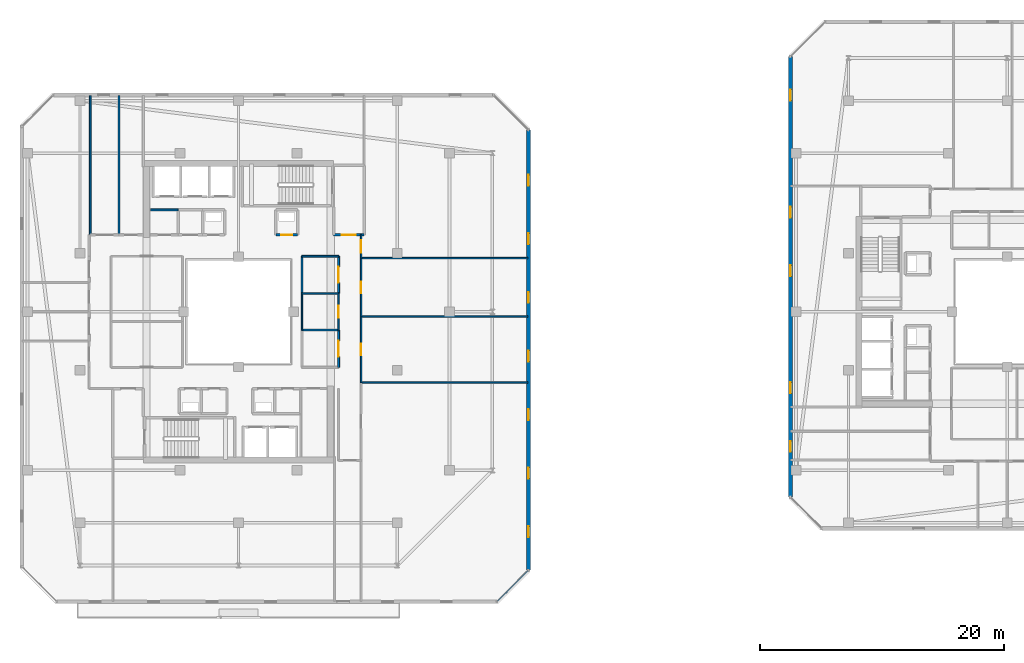
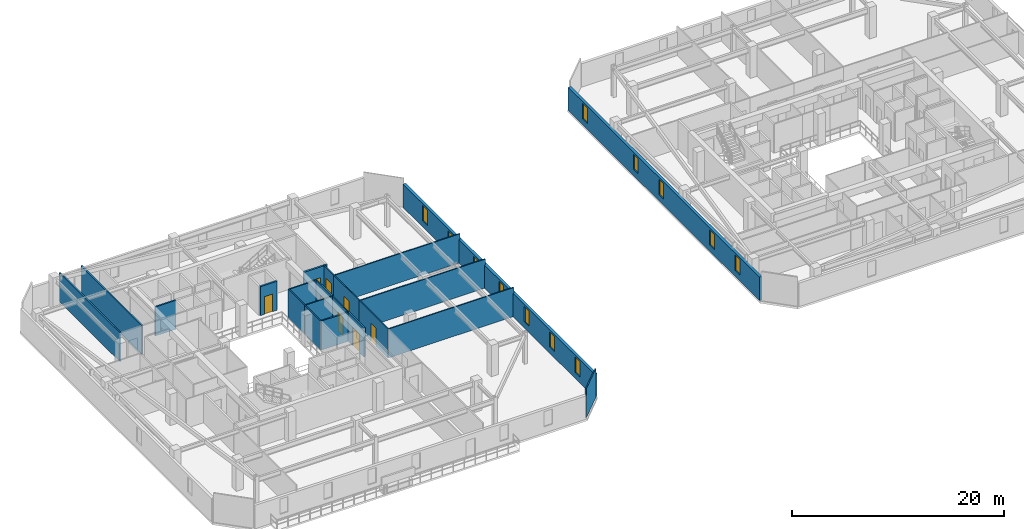
# One storey, part 23 of 35: 22 walls, 12 windows, 8 doors, 20 openings.
"""IFC4 building model written with IfcOpenShell, lengths in metres."""

from ifc_helpers import new_model, si_unit, direction, frame, frame_2d, origin, place, context, subcontext, project, spatial, rectangle, extrude, material, layer, layer_set, type_object, element, fill, save


model = new_model("IFC4")

# Units and contexts
model_context = context("Model", 3, precision=1e-05, world=origin(), true_north=direction((0.0, 1.0)))
body_context = subcontext(model_context, "Body", "Model", "MODEL_VIEW")
ifc_project = project(units=[si_unit("LENGTHUNIT", "METRE"), si_unit("AREAUNIT", "SQUARE_METRE"), si_unit("VOLUMEUNIT", "CUBIC_METRE"), si_unit("PLANEANGLEUNIT", "RADIAN"), si_unit("MASSUNIT", "GRAM", prefix="KILO")], contexts=[model_context])

# Site, building, storey
site_placement = place(None, origin())
site = spatial("IfcSite", under=ifc_project, at=site_placement, CompositionType="ELEMENT")
building_placement = place(site_placement, origin())
building = spatial("IfcBuilding", under=site, at=building_placement, Name="Thornwick Lancets Civic Towers", CompositionType="ELEMENT")
storey_placement = place(building_placement, frame((0.0, 0.0, 272.699951171875)))
storey = spatial("IfcBuildingStorey", under=building, at=storey_placement, Name="L73", CompositionType="ELEMENT", Elevation=272.699951171875)

# Wall, opening, door
ifc_material_1 = material(Name="Concrete blockwork C40/50", Category="masonry")
ifc_layer_1 = layer(ifc_material_1, 0.199951171875, Name="Concrete blockwork C40/50")
ifc_layer_set_1 = layer_set([ifc_layer_1], Name="Concrete blockwork C40/50")
wall_type_1 = type_object("IfcWallType", Name="WALL_COMP_200", PredefinedType="STANDARD", material=ifc_layer_set_1)
wall_1_placement = place(storey_placement, frame((33.300048828125, 33.300048828125, 0.0), z_axis=(0.0, 0.0, 1.0), x_axis=(1.0, 0.0, 0.0)))
wall_1 = element("IfcWall", 1, at=wall_1_placement, inside=storey, type_object=wall_type_1, Name="L73 Partition L73-A-FFLOB2 E1", PredefinedType="STANDARD", context=body_context, shape_type="SweptSolid", body=[
    extrude(rectangle(XDim=2.5, YDim=0.199951171875, at=frame_2d((1.25, 0.0))), origin(), (0.0, 0.0, 1.0), 3.340087890625),
])
opening_1_placement = place(wall_1_placement, frame((0.675048828125, 0.0, 0.0)))
opening_1 = element("IfcOpeningElement", 2, at=opening_1_placement, cuts=wall_1, Name="Opening D-L73-3328", PredefinedType="OPENING", context=body_context, shape_type="SweptSolid", body=[
    extrude(rectangle(XDim=1.14990234375, YDim=2.10009765625, at=frame_2d((0.574951171875, 1.050048828125))), frame((0.0, 0.10986328125, 0.0), z_axis=(0.0, -1.0, 0.0), x_axis=(1.0, 0.0, 0.0)), (0.0, 0.0, 1.0), 0.219970703125),
])
ifc_material_2 = material(Name="Glazed fire-resisting steel", Category="steel")
door_type_1 = type_object("IfcDoorType", Name="DOOR_LOBBY_FD60", OperationType="NOTDEFINED", PredefinedType="DOOR", material=ifc_material_2)
door_1_placement = place(opening_1_placement, origin())
door_1 = element("IfcDoor", 3, at=door_1_placement, inside=storey, type_object=door_type_1, Name="L73 North Firefighting Lobby 2 Door", OperationType="SINGLE_SWING_LEFT", OverallHeight=2.10009765625, OverallWidth=1.14990234375, PredefinedType="DOOR", context=body_context, shape_type="SweptSolid", body=[
    extrude(rectangle(XDim=1.14990234375, YDim=2.10009765625, at=frame_2d((0.574951171875, 1.050048828125))), frame((0.0, 0.02490234375, 0.0), z_axis=(0.0, -1.0, 0.0), x_axis=(1.0, 0.0, 0.0)), (0.0, 0.0, 1.0), 0.050048828125),
])
fill(opening_1, door_1)

wall_2_placement = place(storey_placement, frame((28.550048828125, 33.300048828125, 0.0), z_axis=(0.0, 0.0, 1.0), x_axis=(1.0, 0.0, 0.0)))
wall_2 = element("IfcWall", 4, at=wall_2_placement, inside=storey, type_object=wall_type_1, Name="L73 Partition L73-A-RISER2 E1", PredefinedType="STANDARD", context=body_context, shape_type="SweptSolid", body=[
    extrude(rectangle(XDim=1.800048828125, YDim=0.199951171875, at=frame_2d((0.89990234375, 0.0))), origin(), (0.0, 0.0, 1.0), 3.340087890625),
])
opening_2_placement = place(wall_2_placement, frame((0.4599609375, 0.0, 0.0)))
opening_2 = element("IfcOpeningElement", 5, at=opening_2_placement, cuts=wall_2, Name="Opening D-L73-3332", PredefinedType="OPENING", context=body_context, shape_type="SweptSolid", body=[
    extrude(rectangle(XDim=0.8798828125, YDim=2.0400390625, at=frame_2d((0.43994140625, 1.02001953125))), frame((0.0, 0.10986328125, 0.0), z_axis=(0.0, -1.0, 0.0), x_axis=(1.0, 0.0, 0.0)), (0.0, 0.0, 1.0), 0.219970703125),
])
ifc_material_3 = material(Name="Steel riser access doorset", Category="steel")
door_type_2 = type_object("IfcDoorType", Name="DOOR_RISER_850", OperationType="NOTDEFINED", PredefinedType="DOOR", material=ifc_material_3)
door_2_placement = place(opening_2_placement, origin())
door_2 = element("IfcDoor", 6, at=door_2_placement, inside=storey, type_object=door_type_2, Name="L73 North Service Riser 2 Door", OperationType="SINGLE_SWING_LEFT", OverallHeight=2.0400390625, OverallWidth=0.8798828125, PredefinedType="DOOR", context=body_context, shape_type="SweptSolid", body=[
    extrude(rectangle(XDim=0.8798828125, YDim=2.0400390625, at=frame_2d((0.43994140625, 1.02001953125))), frame((0.0, 0.02490234375, 0.0), z_axis=(0.0, -1.0, 0.0), x_axis=(1.0, 0.0, 0.0)), (0.0, 0.0, 1.0), 0.050048828125),
])
fill(opening_2, door_2)

# Wall, openings, windows
ifc_material_4 = material(Name="Insulated russet terracotta rainscreen on concrete C40/50", Category="masonry")
ifc_layer_2 = layer(ifc_material_4, 0.300048828125, Name="Insulated russet terracotta rainscreen on concrete C40/50")
ifc_layer_set_2 = layer_set([ifc_layer_2], Name="Insulated russet terracotta rainscreen on concrete C40/50")
wall_type_2 = type_object("IfcWallType", Name="WALL_EXT_RUSSET_300", PredefinedType="STANDARD", material=ifc_layer_set_2)
wall_3_placement = place(storey_placement, frame((49.2646484375, 5.818603515625, 0.0), z_axis=(0.0, 0.0, 1.0), x_axis=(-2.7061402e-05, 0.999999999634, 0.0)))
wall_3 = element("IfcWall", 7, at=wall_3_placement, inside=storey, type_object=wall_type_2, Name="L73 Tower A Terracotta Facade Wall E2", PredefinedType="STANDARD", context=body_context, shape_type="SweptSolid", body=[
    extrude(rectangle(XDim=36.0869140625, YDim=0.300048828125, at=frame_2d((18.04345703125, 0.0))), origin(), (0.0, 0.0, 1.0), 2.699951171875),
])
opening_3_placement = place(wall_3_placement, frame((2.699951171875, 0.0, 0.719970703125)))
opening_3 = element("IfcOpeningElement", 8, at=opening_3_placement, cuts=wall_3, Name="Opening WL-01", PredefinedType="OPENING", context=body_context, shape_type="SweptSolid", body=[
    extrude(rectangle(XDim=0.89990234375, YDim=1.75, at=frame_2d((0.449951171875, 0.875))), frame((0.0, 0.16015625, 0.0), z_axis=(0.0, -1.0, 0.0), x_axis=(1.0, 0.0, 0.0)), (0.0, 0.0, 1.0), 0.320068359375),
])
opening_4_placement = place(wall_3_placement, frame((7.5, 0.0, 0.719970703125)))
opening_4 = element("IfcOpeningElement", 9, at=opening_4_placement, cuts=wall_3, Name="Opening WL-01", PredefinedType="OPENING", context=body_context, shape_type="SweptSolid", body=[
    extrude(rectangle(XDim=0.89990234375, YDim=1.75, at=frame_2d((0.449951171875, 0.875))), frame((0.0, 0.16015625, 0.0), z_axis=(0.0, -1.0, 0.0), x_axis=(1.0, 0.0, 0.0)), (0.0, 0.0, 1.0), 0.320068359375),
])
opening_5_placement = place(wall_3_placement, frame((12.300048828125, 0.0, 0.719970703125)))
opening_5 = element("IfcOpeningElement", 10, at=opening_5_placement, cuts=wall_3, Name="Opening WL-01", PredefinedType="OPENING", context=body_context, shape_type="SweptSolid", body=[
    extrude(rectangle(XDim=0.89990234375, YDim=1.75, at=frame_2d((0.449951171875, 0.875))), frame((0.0, 0.16015625, 0.0), z_axis=(0.0, -1.0, 0.0), x_axis=(1.0, 0.0, 0.0)), (0.0, 0.0, 1.0), 0.320068359375),
])
opening_6_placement = place(wall_3_placement, frame((17.10009765625, 0.0, 0.719970703125)))
opening_6 = element("IfcOpeningElement", 11, at=opening_6_placement, cuts=wall_3, Name="Opening WL-01", PredefinedType="OPENING", context=body_context, shape_type="SweptSolid", body=[
    extrude(rectangle(XDim=0.89990234375, YDim=1.75, at=frame_2d((0.449951171875, 0.875))), frame((0.0, 0.16015625, 0.0), z_axis=(0.0, -1.0, 0.0), x_axis=(1.0, 0.0, 0.0)), (0.0, 0.0, 1.0), 0.320068359375),
])
opening_7_placement = place(wall_3_placement, frame((21.89990234375, 0.0, 0.719970703125)))
opening_7 = element("IfcOpeningElement", 12, at=opening_7_placement, cuts=wall_3, Name="Opening WL-01", PredefinedType="OPENING", context=body_context, shape_type="SweptSolid", body=[
    extrude(rectangle(XDim=0.89990234375, YDim=1.75, at=frame_2d((0.449951171875, 0.875))), frame((0.0, 0.16015625, 0.0), z_axis=(0.0, -1.0, 0.0), x_axis=(1.0, 0.0, 0.0)), (0.0, 0.0, 1.0), 0.320068359375),
])
opening_8_placement = place(wall_3_placement, frame((26.699951171875, 0.0, 0.719970703125)))
opening_8 = element("IfcOpeningElement", 13, at=opening_8_placement, cuts=wall_3, Name="Opening WL-01", PredefinedType="OPENING", context=body_context, shape_type="SweptSolid", body=[
    extrude(rectangle(XDim=0.89990234375, YDim=1.75, at=frame_2d((0.449951171875, 0.875))), frame((0.0, 0.16015625, 0.0), z_axis=(0.0, -1.0, 0.0), x_axis=(1.0, 0.0, 0.0)), (0.0, 0.0, 1.0), 0.320068359375),
])
opening_9_placement = place(wall_3_placement, frame((31.5, 0.0, 0.719970703125)))
opening_9 = element("IfcOpeningElement", 14, at=opening_9_placement, cuts=wall_3, Name="Opening WL-01", PredefinedType="OPENING", context=body_context, shape_type="SweptSolid", body=[
    extrude(rectangle(XDim=0.89990234375, YDim=1.75, at=frame_2d((0.449951171875, 0.875))), frame((0.0, 0.16015625, 0.0), z_axis=(0.0, -1.0, 0.0), x_axis=(1.0, 0.0, 0.0)), (0.0, 0.0, 1.0), 0.320068359375),
])
ifc_material_5 = material(Name="Clear low-e double glazing in bronze frame", Category="glass")
window_type = type_object("IfcWindowType", Name="WIN_LANCET_900", PartitioningType="SINGLE_PANEL", PredefinedType="WINDOW", material=ifc_material_5)
window_1_placement = place(opening_3_placement, origin())
window_1 = element("IfcWindow", 15, at=window_1_placement, inside=storey, type_object=window_type, Name="L73 Tower A Staggered Lancet Window E2-1", OverallHeight=1.75, OverallWidth=0.89990234375, PartitioningType="SINGLE_PANEL", PredefinedType="WINDOW", context=body_context, shape_type="SweptSolid", body=[
    extrude(rectangle(XDim=0.89990234375, YDim=1.75, at=frame_2d((0.449951171875, 0.875))), frame((0.0, 0.030029296875, 0.0), z_axis=(0.0, -1.0, 0.0), x_axis=(1.0, 0.0, 0.0)), (0.0, 0.0, 1.0), 0.06005859375),
])
fill(opening_3, window_1)
window_2_placement = place(opening_4_placement, origin())
window_2 = element("IfcWindow", 16, at=window_2_placement, inside=storey, type_object=window_type, Name="L73 Tower A Staggered Lancet Window E2-2", OverallHeight=1.75, OverallWidth=0.89990234375, PartitioningType="SINGLE_PANEL", PredefinedType="WINDOW", context=body_context, shape_type="SweptSolid", body=[
    extrude(rectangle(XDim=0.89990234375, YDim=1.75, at=frame_2d((0.449951171875, 0.875))), frame((0.0, 0.030029296875, 0.0), z_axis=(0.0, -1.0, 0.0), x_axis=(1.0, 0.0, 0.0)), (0.0, 0.0, 1.0), 0.06005859375),
])
fill(opening_4, window_2)
window_3_placement = place(opening_5_placement, origin())
window_3 = element("IfcWindow", 17, at=window_3_placement, inside=storey, type_object=window_type, Name="L73 Tower A Staggered Lancet Window E2-3", OverallHeight=1.75, OverallWidth=0.89990234375, PartitioningType="SINGLE_PANEL", PredefinedType="WINDOW", context=body_context, shape_type="SweptSolid", body=[
    extrude(rectangle(XDim=0.89990234375, YDim=1.75, at=frame_2d((0.449951171875, 0.875))), frame((0.0, 0.030029296875, 0.0), z_axis=(0.0, -1.0, 0.0), x_axis=(1.0, 0.0, 0.0)), (0.0, 0.0, 1.0), 0.06005859375),
])
fill(opening_5, window_3)
window_4_placement = place(opening_6_placement, origin())
window_4 = element("IfcWindow", 18, at=window_4_placement, inside=storey, type_object=window_type, Name="L73 Tower A Staggered Lancet Window E2-4", OverallHeight=1.75, OverallWidth=0.89990234375, PartitioningType="SINGLE_PANEL", PredefinedType="WINDOW", context=body_context, shape_type="SweptSolid", body=[
    extrude(rectangle(XDim=0.89990234375, YDim=1.75, at=frame_2d((0.449951171875, 0.875))), frame((0.0, 0.030029296875, 0.0), z_axis=(0.0, -1.0, 0.0), x_axis=(1.0, 0.0, 0.0)), (0.0, 0.0, 1.0), 0.06005859375),
])
fill(opening_6, window_4)
window_5_placement = place(opening_7_placement, origin())
window_5 = element("IfcWindow", 19, at=window_5_placement, inside=storey, type_object=window_type, Name="L73 Tower A Staggered Lancet Window E2-5", OverallHeight=1.75, OverallWidth=0.89990234375, PartitioningType="SINGLE_PANEL", PredefinedType="WINDOW", context=body_context, shape_type="SweptSolid", body=[
    extrude(rectangle(XDim=0.89990234375, YDim=1.75, at=frame_2d((0.449951171875, 0.875))), frame((0.0, 0.030029296875, 0.0), z_axis=(0.0, -1.0, 0.0), x_axis=(1.0, 0.0, 0.0)), (0.0, 0.0, 1.0), 0.06005859375),
])
fill(opening_7, window_5)
window_6_placement = place(opening_8_placement, origin())
window_6 = element("IfcWindow", 20, at=window_6_placement, inside=storey, type_object=window_type, Name="L73 Tower A Staggered Lancet Window E2-6", OverallHeight=1.75, OverallWidth=0.89990234375, PartitioningType="SINGLE_PANEL", PredefinedType="WINDOW", context=body_context, shape_type="SweptSolid", body=[
    extrude(rectangle(XDim=0.89990234375, YDim=1.75, at=frame_2d((0.449951171875, 0.875))), frame((0.0, 0.030029296875, 0.0), z_axis=(0.0, -1.0, 0.0), x_axis=(1.0, 0.0, 0.0)), (0.0, 0.0, 1.0), 0.06005859375),
])
fill(opening_8, window_6)
window_7_placement = place(opening_9_placement, origin())
window_7 = element("IfcWindow", 21, at=window_7_placement, inside=storey, type_object=window_type, Name="L73 Tower A Staggered Lancet Window E2-7", OverallHeight=1.75, OverallWidth=0.89990234375, PartitioningType="SINGLE_PANEL", PredefinedType="WINDOW", context=body_context, shape_type="SweptSolid", body=[
    extrude(rectangle(XDim=0.89990234375, YDim=1.75, at=frame_2d((0.449951171875, 0.875))), frame((0.0, 0.030029296875, 0.0), z_axis=(0.0, -1.0, 0.0), x_axis=(1.0, 0.0, 0.0)), (0.0, 0.0, 1.0), 0.06005859375),
])
fill(opening_9, window_7)

wall_4_placement = place(storey_placement, frame((70.736328125, 47.905517578125, 0.0), z_axis=(0.0, 0.0, 1.0), x_axis=(-2.7061402e-05, -0.999999999634, 0.0)))
wall_4 = element("IfcWall", 22, at=wall_4_placement, inside=storey, type_object=wall_type_2, Name="L73 Tower B Terracotta Facade Wall E6", PredefinedType="STANDARD", context=body_context, shape_type="SweptSolid", body=[
    extrude(rectangle(XDim=36.0869140625, YDim=0.300048828125, at=frame_2d((18.04345703125, 0.0))), origin(), (0.0, 0.0, 1.0), 2.699951171875),
])
opening_10_placement = place(wall_4_placement, frame((2.699951171875, 0.0, 0.719970703125)))
opening_10 = element("IfcOpeningElement", 23, at=opening_10_placement, cuts=wall_4, Name="Opening WL-01", PredefinedType="OPENING", context=body_context, shape_type="SweptSolid", body=[
    extrude(rectangle(XDim=0.89990234375, YDim=1.75, at=frame_2d((0.449951171875, 0.875))), frame((0.0, 0.16015625, 0.0), z_axis=(0.0, -1.0, 0.0), x_axis=(1.0, 0.0, 0.0)), (0.0, 0.0, 1.0), 0.320068359375),
])
opening_11_placement = place(wall_4_placement, frame((12.300048828125, 0.0, 0.719970703125)))
opening_11 = element("IfcOpeningElement", 24, at=opening_11_placement, cuts=wall_4, Name="Opening WL-01", PredefinedType="OPENING", context=body_context, shape_type="SweptSolid", body=[
    extrude(rectangle(XDim=0.89990234375, YDim=1.75, at=frame_2d((0.449951171875, 0.875))), frame((0.0, 0.16015625, 0.0), z_axis=(0.0, -1.0, 0.0), x_axis=(1.0, 0.0, 0.0)), (0.0, 0.0, 1.0), 0.320068359375),
])
opening_12_placement = place(wall_4_placement, frame((17.10009765625, 0.0, 0.719970703125)))
opening_12 = element("IfcOpeningElement", 25, at=opening_12_placement, cuts=wall_4, Name="Opening WL-01", PredefinedType="OPENING", context=body_context, shape_type="SweptSolid", body=[
    extrude(rectangle(XDim=0.89990234375, YDim=1.75, at=frame_2d((0.449951171875, 0.875))), frame((0.0, 0.16015625, 0.0), z_axis=(0.0, -1.0, 0.0), x_axis=(1.0, 0.0, 0.0)), (0.0, 0.0, 1.0), 0.320068359375),
])
opening_13_placement = place(wall_4_placement, frame((26.699951171875, 0.0, 0.719970703125)))
opening_13 = element("IfcOpeningElement", 26, at=opening_13_placement, cuts=wall_4, Name="Opening WL-01", PredefinedType="OPENING", context=body_context, shape_type="SweptSolid", body=[
    extrude(rectangle(XDim=0.89990234375, YDim=1.75, at=frame_2d((0.449951171875, 0.875))), frame((0.0, 0.16015625, 0.0), z_axis=(0.0, -1.0, 0.0), x_axis=(1.0, 0.0, 0.0)), (0.0, 0.0, 1.0), 0.320068359375),
])
opening_14_placement = place(wall_4_placement, frame((31.5, 0.0, 0.719970703125)))
opening_14 = element("IfcOpeningElement", 27, at=opening_14_placement, cuts=wall_4, Name="Opening WL-01", PredefinedType="OPENING", context=body_context, shape_type="SweptSolid", body=[
    extrude(rectangle(XDim=0.89990234375, YDim=1.75, at=frame_2d((0.449951171875, 0.875))), frame((0.0, 0.16015625, 0.0), z_axis=(0.0, -1.0, 0.0), x_axis=(1.0, 0.0, 0.0)), (0.0, 0.0, 1.0), 0.320068359375),
])
window_8_placement = place(opening_10_placement, origin())
window_8 = element("IfcWindow", 28, at=window_8_placement, inside=storey, type_object=window_type, Name="L73 Tower B Staggered Lancet Window E6-1", OverallHeight=1.75, OverallWidth=0.89990234375, PartitioningType="SINGLE_PANEL", PredefinedType="WINDOW", context=body_context, shape_type="SweptSolid", body=[
    extrude(rectangle(XDim=0.89990234375, YDim=1.75, at=frame_2d((0.449951171875, 0.875))), frame((0.0, 0.030029296875, 0.0), z_axis=(0.0, -1.0, 0.0), x_axis=(1.0, 0.0, 0.0)), (0.0, 0.0, 1.0), 0.06005859375),
])
fill(opening_10, window_8)
window_9_placement = place(opening_11_placement, origin())
window_9 = element("IfcWindow", 29, at=window_9_placement, inside=storey, type_object=window_type, Name="L73 Tower B Staggered Lancet Window E6-2", OverallHeight=1.75, OverallWidth=0.89990234375, PartitioningType="SINGLE_PANEL", PredefinedType="WINDOW", context=body_context, shape_type="SweptSolid", body=[
    extrude(rectangle(XDim=0.89990234375, YDim=1.75, at=frame_2d((0.449951171875, 0.875))), frame((0.0, 0.030029296875, 0.0), z_axis=(0.0, -1.0, 0.0), x_axis=(1.0, 0.0, 0.0)), (0.0, 0.0, 1.0), 0.06005859375),
])
fill(opening_11, window_9)
window_10_placement = place(opening_12_placement, origin())
window_10 = element("IfcWindow", 30, at=window_10_placement, inside=storey, type_object=window_type, Name="L73 Tower B Staggered Lancet Window E6-3", OverallHeight=1.75, OverallWidth=0.89990234375, PartitioningType="SINGLE_PANEL", PredefinedType="WINDOW", context=body_context, shape_type="SweptSolid", body=[
    extrude(rectangle(XDim=0.89990234375, YDim=1.75, at=frame_2d((0.449951171875, 0.875))), frame((0.0, 0.030029296875, 0.0), z_axis=(0.0, -1.0, 0.0), x_axis=(1.0, 0.0, 0.0)), (0.0, 0.0, 1.0), 0.06005859375),
])
fill(opening_12, window_10)
window_11_placement = place(opening_13_placement, origin())
window_11 = element("IfcWindow", 31, at=window_11_placement, inside=storey, type_object=window_type, Name="L73 Tower B Staggered Lancet Window E6-4", OverallHeight=1.75, OverallWidth=0.89990234375, PartitioningType="SINGLE_PANEL", PredefinedType="WINDOW", context=body_context, shape_type="SweptSolid", body=[
    extrude(rectangle(XDim=0.89990234375, YDim=1.75, at=frame_2d((0.449951171875, 0.875))), frame((0.0, 0.030029296875, 0.0), z_axis=(0.0, -1.0, 0.0), x_axis=(1.0, 0.0, 0.0)), (0.0, 0.0, 1.0), 0.06005859375),
])
fill(opening_13, window_11)
window_12_placement = place(opening_14_placement, origin())
window_12 = element("IfcWindow", 32, at=window_12_placement, inside=storey, type_object=window_type, Name="L73 Tower B Staggered Lancet Window E6-5", OverallHeight=1.75, OverallWidth=0.89990234375, PartitioningType="SINGLE_PANEL", PredefinedType="WINDOW", context=body_context, shape_type="SweptSolid", body=[
    extrude(rectangle(XDim=0.89990234375, YDim=1.75, at=frame_2d((0.449951171875, 0.875))), frame((0.0, 0.030029296875, 0.0), z_axis=(0.0, -1.0, 0.0), x_axis=(1.0, 0.0, 0.0)), (0.0, 0.0, 1.0), 0.06005859375),
])
fill(opening_14, window_12)

# Walls
ifc_material_6 = material(Name="Acoustic gypsum board partition")
ifc_layer_3 = layer(ifc_material_6, 0.1201171875, Name="Acoustic gypsum board partition")
ifc_layer_set_3 = layer_set([ifc_layer_3], Name="Acoustic gypsum board partition")
wall_type_3 = type_object("IfcWallType", Name="WALL_PART_120", PredefinedType="PARTITIONING", material=ifc_layer_set_3)
wall_5_placement = place(storey_placement, frame((35.550048828125, 21.199951171875, 0.0), z_axis=(0.0, 0.0, 1.0), x_axis=(1.0, 0.0, 0.0)))
element("IfcWall", 33, at=wall_5_placement, inside=storey, type_object=wall_type_3, Name="L73 Partition L73-A-E1 E4", PredefinedType="PARTITIONING", context=body_context, shape_type="SweptSolid", body=[
    extrude(rectangle(XDim=13.669921875, YDim=0.1201171875, at=frame_2d((6.8349609375, 0.0))), origin(), (0.0, 0.0, 1.0), 3.340087890625),
])
wall_6_placement = place(storey_placement, frame((49.219970703125, 5.774658203125, 0.0), z_axis=(0.0, 0.0, 1.0), x_axis=(-0.707106781187, -0.707106781187, 0.0)))
element("IfcWall", 34, at=wall_6_placement, inside=storey, type_object=wall_type_3, Name="L73 Partition L73-A-E1 E6", PredefinedType="PARTITIONING", context=body_context, shape_type="SweptSolid", body=[
    extrude(rectangle(XDim=3.52783203125, YDim=0.1201171875, at=frame_2d((1.763916015625, 0.0))), origin(), (0.0, 0.0, 1.0), 3.340087890625),
])

# Wall, opening, door
wall_7_placement = place(storey_placement, frame((35.550048828125, 21.199951171875, 0.0), z_axis=(0.0, 0.0, 1.0), x_axis=(0.0, 1.0, 0.0)))
wall_7 = element("IfcWall", 35, at=wall_7_placement, inside=storey, type_object=wall_type_3, Name="L73 Partition L73-A-E2 E1", PredefinedType="PARTITIONING", context=body_context, shape_type="SweptSolid", body=[
    extrude(rectangle(XDim=5.400146484375, YDim=0.1201171875, at=frame_2d((2.7001953125, 0.0))), origin(), (0.0, 0.0, 1.0), 3.340087890625),
])
opening_15_placement = place(wall_7_placement, frame((2.22509765625, 0.0, 0.0)))
opening_15 = element("IfcOpeningElement", 36, at=opening_15_placement, cuts=wall_7, Name="Opening D-L73-3359", PredefinedType="OPENING", context=body_context, shape_type="SweptSolid", body=[
    extrude(rectangle(XDim=0.949951171875, YDim=2.10009765625, at=frame_2d((0.47509765625, 1.050048828125))), frame((0.0, 0.070068359375, 0.0), z_axis=(0.0, -1.0, 0.0), x_axis=(1.0, 0.0, 0.0)), (0.0, 0.0, 1.0), 0.14013671875),
])
ifc_material_7 = material(Name="European oak acoustic doorset")
door_type_3 = type_object("IfcDoorType", Name="DOOR_OFFICE_950", OperationType="NOTDEFINED", PredefinedType="DOOR", material=ifc_material_7)
door_3_placement = place(opening_15_placement, origin())
door_3 = element("IfcDoor", 37, at=door_3_placement, inside=storey, type_object=door_type_3, Name="L73 Tower A Visitors Reception and Waiting Door", OperationType="SINGLE_SWING_RIGHT", OverallHeight=2.10009765625, OverallWidth=0.949951171875, PredefinedType="DOOR", context=body_context, shape_type="SweptSolid", body=[
    extrude(rectangle(XDim=0.949951171875, YDim=2.10009765625, at=frame_2d((0.47509765625, 1.050048828125))), frame((0.0, 0.02490234375, 0.0), z_axis=(0.0, -1.0, 0.0), x_axis=(1.0, 0.0, 0.0)), (0.0, 0.0, 1.0), 0.050048828125),
])
fill(opening_15, door_3)

# Wall
wall_8_placement = place(storey_placement, frame((35.550048828125, 26.60009765625, 0.0), z_axis=(0.0, 0.0, 1.0), x_axis=(1.0, 0.0, 0.0)))
element("IfcWall", 38, at=wall_8_placement, inside=storey, type_object=wall_type_3, Name="L73 Partition L73-A-E2 E2", PredefinedType="PARTITIONING", context=body_context, shape_type="SweptSolid", body=[
    extrude(rectangle(XDim=13.669921875, YDim=0.1201171875, at=frame_2d((6.8349609375, 0.0))), origin(), (0.0, 0.0, 1.0), 3.340087890625),
])

# Wall, opening, door
wall_9_placement = place(storey_placement, frame((35.550048828125, 26.60009765625, 0.0), z_axis=(0.0, 0.0, 1.0), x_axis=(0.0, 1.0, 0.0)))
wall_9 = element("IfcWall", 39, at=wall_9_placement, inside=storey, type_object=wall_type_3, Name="L73 Partition L73-A-E3 E1", PredefinedType="PARTITIONING", context=body_context, shape_type="SweptSolid", body=[
    extrude(rectangle(XDim=4.7998046875, YDim=0.1201171875, at=frame_2d((2.39990234375, 0.0))), origin(), (0.0, 0.0, 1.0), 3.340087890625),
])
opening_16_placement = place(wall_9_placement, frame((1.925048828125, 0.0, 0.0)))
opening_16 = element("IfcOpeningElement", 40, at=opening_16_placement, cuts=wall_9, Name="Opening D-L73-3360", PredefinedType="OPENING", context=body_context, shape_type="SweptSolid", body=[
    extrude(rectangle(XDim=0.949951171875, YDim=2.10009765625, at=frame_2d((0.47509765625, 1.050048828125))), frame((0.0, 0.070068359375, 0.0), z_axis=(0.0, -1.0, 0.0), x_axis=(1.0, 0.0, 0.0)), (0.0, 0.0, 1.0), 0.14013671875),
])
door_4_placement = place(opening_16_placement, origin())
door_4 = element("IfcDoor", 41, at=door_4_placement, inside=storey, type_object=door_type_3, Name="L73 Tower A Civic Seminar Room Door", OperationType="SINGLE_SWING_LEFT", OverallHeight=2.10009765625, OverallWidth=0.949951171875, PredefinedType="DOOR", context=body_context, shape_type="SweptSolid", body=[
    extrude(rectangle(XDim=0.949951171875, YDim=2.10009765625, at=frame_2d((0.47509765625, 1.050048828125))), frame((0.0, 0.02490234375, 0.0), z_axis=(0.0, -1.0, 0.0), x_axis=(1.0, 0.0, 0.0)), (0.0, 0.0, 1.0), 0.050048828125),
])
fill(opening_16, door_4)

# Wall
wall_10_placement = place(storey_placement, frame((35.550048828125, 31.39990234375, 0.0), z_axis=(0.0, 0.0, 1.0), x_axis=(1.0, 0.0, 0.0)))
element("IfcWall", 42, at=wall_10_placement, inside=storey, type_object=wall_type_3, Name="L73 Partition L73-A-E3 E2", PredefinedType="PARTITIONING", context=body_context, shape_type="SweptSolid", body=[
    extrude(rectangle(XDim=13.669921875, YDim=0.1201171875, at=frame_2d((6.8349609375, 0.0))), origin(), (0.0, 0.0, 1.0), 3.340087890625),
])

# Wall, opening, door
wall_11_placement = place(storey_placement, frame((35.550048828125, 31.39990234375, 0.0), z_axis=(0.0, 0.0, 1.0), x_axis=(0.0, 1.0, 0.0)))
wall_11 = element("IfcWall", 43, at=wall_11_placement, inside=storey, type_object=wall_type_3, Name="L73 Partition L73-A-E4 E8", PredefinedType="PARTITIONING", context=body_context, shape_type="SweptSolid", body=[
    extrude(rectangle(XDim=1.900146484375, YDim=0.1201171875, at=frame_2d((0.9501953125, 0.0))), origin(), (0.0, 0.0, 1.0), 3.340087890625),
])
opening_17_placement = place(wall_11_placement, frame((0.425048828125, 0.0, 0.0)))
opening_17 = element("IfcOpeningElement", 44, at=opening_17_placement, cuts=wall_11, Name="Opening D-L73-3361", PredefinedType="OPENING", context=body_context, shape_type="SweptSolid", body=[
    extrude(rectangle(XDim=1.050048828125, YDim=2.10009765625, at=frame_2d((0.52490234375, 1.050048828125))), frame((0.0, 0.070068359375, 0.0), z_axis=(0.0, -1.0, 0.0), x_axis=(1.0, 0.0, 0.0)), (0.0, 0.0, 1.0), 0.14013671875),
])
ifc_material_8 = material(Name="Glazed European oak executive doorset")
door_type_4 = type_object("IfcDoorType", Name="DOOR_OFFICE_1050", OperationType="NOTDEFINED", PredefinedType="DOOR", material=ifc_material_8)
door_5_placement = place(opening_17_placement, origin())
door_5 = element("IfcDoor", 45, at=door_5_placement, inside=storey, type_object=door_type_4, Name="L73 Tower A Legislative Drafting Suite E4 Door", OperationType="SINGLE_SWING_RIGHT", OverallHeight=2.10009765625, OverallWidth=1.050048828125, PredefinedType="DOOR", context=body_context, shape_type="SweptSolid", body=[
    extrude(rectangle(XDim=1.050048828125, YDim=2.10009765625, at=frame_2d((0.52490234375, 1.050048828125))), frame((0.0, 0.02490234375, 0.0), z_axis=(0.0, -1.0, 0.0), x_axis=(1.0, 0.0, 0.0)), (0.0, 0.0, 1.0), 0.050048828125),
])
fill(opening_17, door_5)

# Walls
for number, where, z_axis, x_axis, name in (
    (46, (30.699951171875, 25.5, 0.0), (0.0, 0.0, 1.0), (0.0, 1.0, 0.0), "L73 Partition L73-A-E-ATR-2 E1"),
    (47, (30.699951171875, 28.5, 0.0), (0.0, 0.0, 1.0), (1.0, 0.0, 0.0), "L73 Partition L73-A-E-ATR-2 E2"),
):
    element("IfcWall", number, at=place(storey_placement, frame(where, z_axis=z_axis, x_axis=x_axis)), inside=storey, type_object=wall_type_3, Name=name, PredefinedType="PARTITIONING", context=body_context, shape_type="SweptSolid", body=[
        extrude(rectangle(XDim=3.0, YDim=0.1201171875, at=frame_2d((1.5, 0.0))), origin(), (0.0, 0.0, 1.0), 3.340087890625),
    ])

# Wall, opening, door
wall_12_placement = place(storey_placement, frame((33.699951171875, 28.5, 0.0), z_axis=(0.0, 0.0, 1.0), x_axis=(0.0, -1.0, 0.0)))
wall_12 = element("IfcWall", 48, at=wall_12_placement, inside=storey, type_object=wall_type_3, Name="L73 Partition L73-A-E-ATR-2 E3", PredefinedType="PARTITIONING", context=body_context, shape_type="SweptSolid", body=[
    extrude(rectangle(XDim=3.0, YDim=0.1201171875, at=frame_2d((1.5, 0.0))), origin(), (0.0, 0.0, 1.0), 3.340087890625),
])
opening_18_placement = place(wall_12_placement, frame((1.02490234375, 0.0, 0.0)))
opening_18 = element("IfcOpeningElement", 49, at=opening_18_placement, cuts=wall_12, Name="Opening D-L73-3363", PredefinedType="OPENING", context=body_context, shape_type="SweptSolid", body=[
    extrude(rectangle(XDim=0.949951171875, YDim=2.10009765625, at=frame_2d((0.47509765625, 1.050048828125))), frame((0.0, 0.070068359375, 0.0), z_axis=(0.0, -1.0, 0.0), x_axis=(1.0, 0.0, 0.0)), (0.0, 0.0, 1.0), 0.14013671875),
])
door_6_placement = place(opening_18_placement, origin())
door_6 = element("IfcDoor", 50, at=door_6_placement, inside=storey, type_object=door_type_3, Name="L73 Tower A Atrium Research Suite Door", OperationType="SINGLE_SWING_RIGHT", OverallHeight=2.10009765625, OverallWidth=0.949951171875, PredefinedType="DOOR", context=body_context, shape_type="SweptSolid", body=[
    extrude(rectangle(XDim=0.949951171875, YDim=2.10009765625, at=frame_2d((0.47509765625, 1.050048828125))), frame((0.0, 0.02490234375, 0.0), z_axis=(0.0, -1.0, 0.0), x_axis=(1.0, 0.0, 0.0)), (0.0, 0.0, 1.0), 0.050048828125),
])
fill(opening_18, door_6)

# Walls
ifc_material_9 = material(Name="Twin-stud acoustic gypsum board")
ifc_layer_4 = layer(ifc_material_9, 0.14990234375, Name="Twin-stud acoustic gypsum board")
ifc_layer_set_4 = layer_set([ifc_layer_4], Name="Twin-stud acoustic gypsum board")
wall_type_4 = type_object("IfcWallType", Name="WALL_PART_150", PredefinedType="PARTITIONING", material=ifc_layer_set_4)
wall_13_placement = place(storey_placement, frame((20.550048828125, 35.35009765625, 0.0), z_axis=(0.0, 0.0, 1.0), x_axis=(-1.0, 0.0, 0.0)))
element("IfcWall", 51, at=wall_13_placement, inside=storey, type_object=wall_type_4, Name="L73 Partition L73-A-AWC E3", PredefinedType="PARTITIONING", context=body_context, shape_type="SweptSolid", body=[
    extrude(rectangle(XDim=2.25, YDim=0.14990234375, at=frame_2d((1.125, 0.0))), origin(), (0.0, 0.0, 1.0), 3.340087890625),
])
for number, where, z_axis, x_axis, name in (
    (52, (13.35009765625, 33.300048828125, 0.0), (0.0, 0.0, 1.0), (0.0, 1.0, 0.0), "L73 Partition L73-A-RECLAIM-M1 E1"),
    (53, (15.699951171875, 44.719970703125, 0.0), (0.0, 0.0, 1.0), (0.0, -1.0, 0.0), "L73 Partition L73-A-RECLAIM-M1 E3"),
):
    element("IfcWall", number, at=place(storey_placement, frame(where, z_axis=z_axis, x_axis=x_axis)), inside=storey, type_object=wall_type_4, Name=name, PredefinedType="PARTITIONING", context=body_context, shape_type="SweptSolid", body=[
        extrude(rectangle(XDim=11.419921875, YDim=0.14990234375, at=frame_2d((5.7099609375, 0.0))), origin(), (0.0, 0.0, 1.0), 3.340087890625),
    ])
wall_14_placement = place(storey_placement, frame((30.699951171875, 25.5, 0.0), z_axis=(0.0, 0.0, 1.0), x_axis=(1.0, 0.0, 0.0)))
element("IfcWall", 54, at=wall_14_placement, inside=storey, type_object=wall_type_4, Name="L73 Partition L73-A-E-ATR-1 E2", PredefinedType="PARTITIONING", context=body_context, shape_type="SweptSolid", body=[
    extrude(rectangle(XDim=3.0, YDim=0.14990234375, at=frame_2d((1.5, 0.0))), origin(), (0.0, 0.0, 1.0), 3.340087890625),
])

# Wall, opening, door
wall_15_placement = place(storey_placement, frame((33.699951171875, 25.5, 0.0), z_axis=(0.0, 0.0, 1.0), x_axis=(0.0, -1.0, 0.0)))
wall_15 = element("IfcWall", 55, at=wall_15_placement, inside=storey, type_object=wall_type_4, Name="L73 Partition L73-A-E-ATR-1 E3", PredefinedType="PARTITIONING", context=body_context, shape_type="SweptSolid", body=[
    extrude(rectangle(XDim=3.050048828125, YDim=0.14990234375, at=frame_2d((1.52490234375, 0.0))), origin(), (0.0, 0.0, 1.0), 3.340087890625),
])
opening_19_placement = place(wall_15_placement, frame((0.875, 0.0, 0.0)))
opening_19 = element("IfcOpeningElement", 56, at=opening_19_placement, cuts=wall_15, Name="Opening D-L73-3362", PredefinedType="OPENING", context=body_context, shape_type="SweptSolid", body=[
    extrude(rectangle(XDim=1.300048828125, YDim=2.1201171875, at=frame_2d((0.64990234375, 1.06005859375))), frame((0.0, 0.0849609375, 0.0), z_axis=(0.0, -1.0, 0.0), x_axis=(1.0, 0.0, 0.0)), (0.0, 0.0, 1.0), 0.169921875),
])
ifc_material_10 = material(Name="Acoustic oak leaf-and-a-half doorset")
door_type_5 = type_object("IfcDoorType", Name="DOOR_MEET_1300", OperationType="DOUBLE_DOOR_SINGLE_SWING", PredefinedType="DOOR", material=ifc_material_10)
door_7_placement = place(opening_19_placement, origin())
door_7 = element("IfcDoor", 57, at=door_7_placement, inside=storey, type_object=door_type_5, Name="L73 Tower A Atrium Briefing Room Door", OperationType="DOUBLE_DOOR_SINGLE_SWING", OverallHeight=2.1201171875, OverallWidth=1.300048828125, PredefinedType="DOOR", context=body_context, shape_type="SweptSolid", body=[
    extrude(rectangle(XDim=1.300048828125, YDim=2.1201171875, at=frame_2d((0.64990234375, 1.06005859375))), frame((0.0, 0.02490234375, 0.0), z_axis=(0.0, -1.0, 0.0), x_axis=(1.0, 0.0, 0.0)), (0.0, 0.0, 1.0), 0.050048828125),
])
fill(opening_19, door_7)

# Walls
wall_16_placement = place(storey_placement, frame((30.699951171875, 28.5, 0.0), z_axis=(0.0, 0.0, 1.0), x_axis=(0.0, 1.0, 0.0)))
element("IfcWall", 58, at=wall_16_placement, inside=storey, type_object=wall_type_4, Name="L73 Partition L73-A-E-ATR-3 E1", PredefinedType="PARTITIONING", context=body_context, shape_type="SweptSolid", body=[
    extrude(rectangle(XDim=3.050048828125, YDim=0.14990234375, at=frame_2d((1.52490234375, 0.0))), origin(), (0.0, 0.0, 1.0), 3.340087890625),
])
wall_17_placement = place(storey_placement, frame((30.699951171875, 31.550048828125, 0.0), z_axis=(0.0, 0.0, 1.0), x_axis=(1.0, 0.0, 0.0)))
element("IfcWall", 59, at=wall_17_placement, inside=storey, type_object=wall_type_4, Name="L73 Partition L73-A-E-ATR-3 E2", PredefinedType="PARTITIONING", context=body_context, shape_type="SweptSolid", body=[
    extrude(rectangle(XDim=3.0, YDim=0.14990234375, at=frame_2d((1.5, 0.0))), origin(), (0.0, 0.0, 1.0), 3.340087890625),
])

# Wall, opening, door
wall_18_placement = place(storey_placement, frame((33.699951171875, 31.550048828125, 0.0), z_axis=(0.0, 0.0, 1.0), x_axis=(0.0, -1.0, 0.0)))
wall_18 = element("IfcWall", 60, at=wall_18_placement, inside=storey, type_object=wall_type_4, Name="L73 Partition L73-A-E-ATR-3 E3", PredefinedType="PARTITIONING", context=body_context, shape_type="SweptSolid", body=[
    extrude(rectangle(XDim=3.050048828125, YDim=0.14990234375, at=frame_2d((1.52490234375, 0.0))), origin(), (0.0, 0.0, 1.0), 3.340087890625),
])
opening_20_placement = place(wall_18_placement, frame((0.875, 0.0, 0.0)))
opening_20 = element("IfcOpeningElement", 61, at=opening_20_placement, cuts=wall_18, Name="Opening D-L73-3364", PredefinedType="OPENING", context=body_context, shape_type="SweptSolid", body=[
    extrude(rectangle(XDim=1.300048828125, YDim=2.1201171875, at=frame_2d((0.64990234375, 1.06005859375))), frame((0.0, 0.0849609375, 0.0), z_axis=(0.0, -1.0, 0.0), x_axis=(1.0, 0.0, 0.0)), (0.0, 0.0, 1.0), 0.169921875),
])
door_8_placement = place(opening_20_placement, origin())
door_8 = element("IfcDoor", 62, at=door_8_placement, inside=storey, type_object=door_type_5, Name="L73 Tower A Atrium Consultation Chamber Door", OperationType="DOUBLE_DOOR_SINGLE_SWING", OverallHeight=2.1201171875, OverallWidth=1.300048828125, PredefinedType="DOOR", context=body_context, shape_type="SweptSolid", body=[
    extrude(rectangle(XDim=1.300048828125, YDim=2.1201171875, at=frame_2d((0.64990234375, 1.06005859375))), frame((0.0, 0.02490234375, 0.0), z_axis=(0.0, -1.0, 0.0), x_axis=(1.0, 0.0, 0.0)), (0.0, 0.0, 1.0), 0.050048828125),
])
fill(opening_20, door_8)

save(model, "model.ifc")
